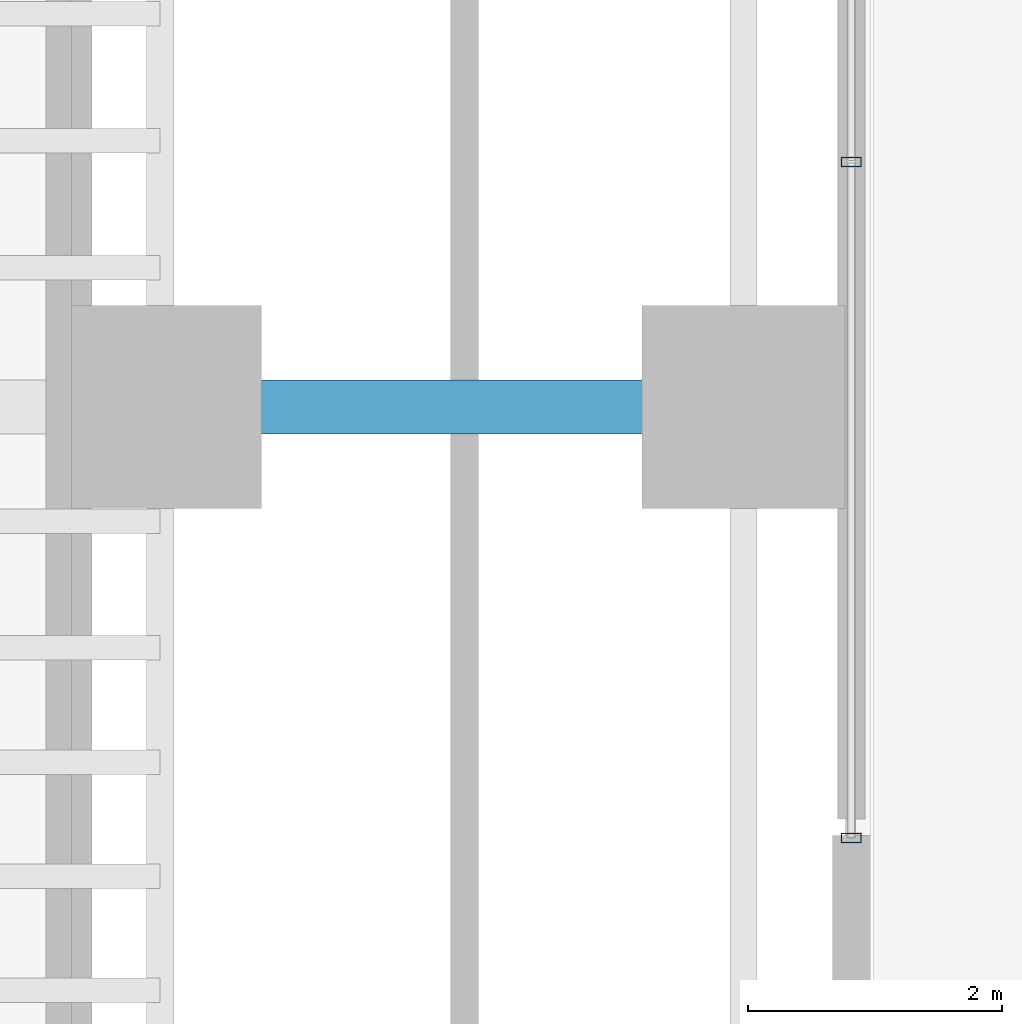
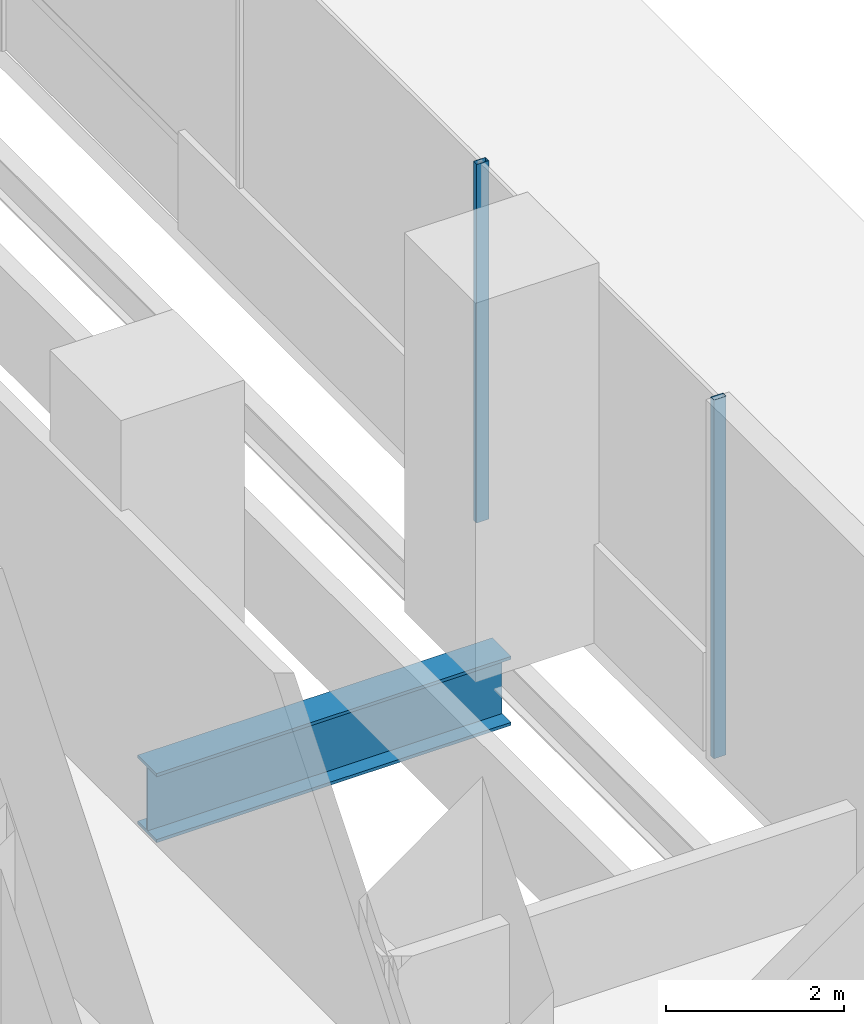
# One storey, part 10 of 27: 2 members, 1 beam, 1 element without a shape of its own.
"""IFC4 building model written with IfcOpenShell, lengths in metres."""

from ifc_helpers import new_model, si_unit, direction, frame, origin, origin_2d, place, context, subcontext, project, spatial, hollow_rectangle, i_section, extrude, source, transform, mapped, material, material_profile, profile_set, type_object, element, aggregate, save


model = new_model("IFC4")

# Units and contexts
model_context = context("Model", 3, precision=1e-05, world=origin(), true_north=direction((0.0, 1.0)))
body_context = subcontext(model_context, "Body", "Model", "MODEL_VIEW")
ifc_project = project(units=[si_unit("LENGTHUNIT", "METRE"), si_unit("AREAUNIT", "SQUARE_METRE"), si_unit("VOLUMEUNIT", "CUBIC_METRE"), si_unit("PLANEANGLEUNIT", "RADIAN"), si_unit("MASSUNIT", "GRAM", prefix="KILO")], contexts=[model_context])

# Site, building, storey
site_placement = place(None, origin())
site = spatial("IfcSite", under=ifc_project, at=site_placement, CompositionType="ELEMENT")
building_placement = place(site_placement, origin())
building = spatial("IfcBuilding", under=site, at=building_placement, Name="Valdorenza Pilgrim Sanctuary Tower", CompositionType="ELEMENT")
storey_placement = place(building_placement, origin())
storey = spatial("IfcBuildingStorey", under=building, at=storey_placement, Name="L00", CompositionType="ELEMENT", Elevation=0.0)

# Beam
ifc_material_1 = material(Name="Steel ASTM A992 Grade 50", Category="steel")
ifc_material_profile_1 = material_profile(ifc_material_1, i_section(OverallWidth=0.423095703125, OverallDepth=0.947998046875, WebThickness=0.02392578125, FlangeThickness=0.042724609375, at=origin_2d()), Name="W36X302")
ifc_profile_set_1 = profile_set([ifc_material_profile_1], Name="Steel ASTM A992 Grade 50")
beam_type = type_object("IfcBeamType", Name="STR-BM-GRD-W36A", PredefinedType="BEAM", material=ifc_profile_set_1)
shared_shape_1 = source(origin(), body_context, "Body", "SweptSolid", [
    extrude(i_section(OverallWidth=0.423095703125, OverallDepth=0.947998046875, WebThickness=0.02392578125, FlangeThickness=0.042724609375, at=origin_2d()), origin(), (0.0, 0.0, 1.0), 4.60009765625),
])
beam_placement = place(storey_placement, frame((28.39990234375, -2.60009765625, -0.75390625), z_axis=(1.0, 0.0, 0.0), x_axis=(0.0, 1.0, 0.0)))
element("IfcBeam", 1, at=beam_placement, inside=storey, type_object=beam_type, Name="L00 Floor Girder POD-E-M0", PredefinedType="BEAM", context=body_context, shape_type="MappedRepresentation", body=[
    mapped(shared_shape_1, transform((0.0, 0.0, 0.0), x_axis=(1.0, 0.0, 0.0), y_axis=(0.0, 1.0, 0.0), z_axis=(0.0, 0.0, 1.0), scale=1.0)),
])

# Curtain wall, members
ifc_material_2 = material(Name="Curtain-wall IGU glazing", Category="glass")
curtain_wall_type = type_object("IfcCurtainWallType", Name="CW-SYS-01", PredefinedType="NOTDEFINED", material=ifc_material_2)
curtain_wall_placement = place(storey_placement, origin())
curtain_wall = element("IfcCurtainWall", 2, at=curtain_wall_placement, inside=storey, type_object=curtain_wall_type, Name="L00 Curtain Wall CW-POD-L00-EE", PredefinedType="NOTDEFINED")
ifc_material_3 = material(Name="Anodised aluminium AW-6060", Category="aluminium")
ifc_material_profile_2 = material_profile(ifc_material_3, hollow_rectangle(XDim=0.074951171875, YDim=0.159912109375, WallThickness=0.00390625, at=origin_2d()), Name="ALU-M 160x75x4")
ifc_profile_set_2 = profile_set([ifc_material_profile_2], Name="Anodised aluminium AW-6060")
member_type = type_object("IfcMemberType", Name="CW-MUL-01", PredefinedType="MULLION", material=ifc_profile_set_2)
shared_shape_2 = source(origin(), body_context, "Body", "SweptSolid", [
    extrude(hollow_rectangle(XDim=0.074951171875, YDim=0.159912109375, WallThickness=0.00390625, at=origin_2d()), origin(), (0.0, 0.0, 1.0), 4.919921875),
])
member_1_placement = place(storey_placement, frame((33.85009765625, -6.0, 0.0), z_axis=(0.0, 0.0, 1.0), x_axis=(0.0, 1.0, 0.0)))
member_1 = element("IfcMember", 3, at=member_1_placement, type_object=member_type, Name="CW-POD-L00-EE Mullion 1", PredefinedType="MULLION", context=body_context, shape_type="MappedRepresentation", body=[
    mapped(shared_shape_2, transform((0.0, 0.0, 0.0), x_axis=(1.0, 0.0, 0.0), y_axis=(0.0, 1.0, 0.0), z_axis=(0.0, 0.0, 1.0), scale=1.0)),
])
member_2_placement = place(storey_placement, frame((33.85009765625, -0.666748046875, 0.0), z_axis=(0.0, 0.0, 1.0), x_axis=(0.0, 1.0, 0.0)))
member_2 = element("IfcMember", 4, at=member_2_placement, type_object=member_type, Name="CW-POD-L00-EE Mullion 2", PredefinedType="MULLION", context=body_context, shape_type="MappedRepresentation", body=[
    mapped(shared_shape_2, transform((0.0, 0.0, 0.0), x_axis=(1.0, 0.0, 0.0), y_axis=(0.0, 1.0, 0.0), z_axis=(0.0, 0.0, 1.0), scale=1.0)),
])
aggregate(curtain_wall, [member_1, member_2])

save(model, "model.ifc")
